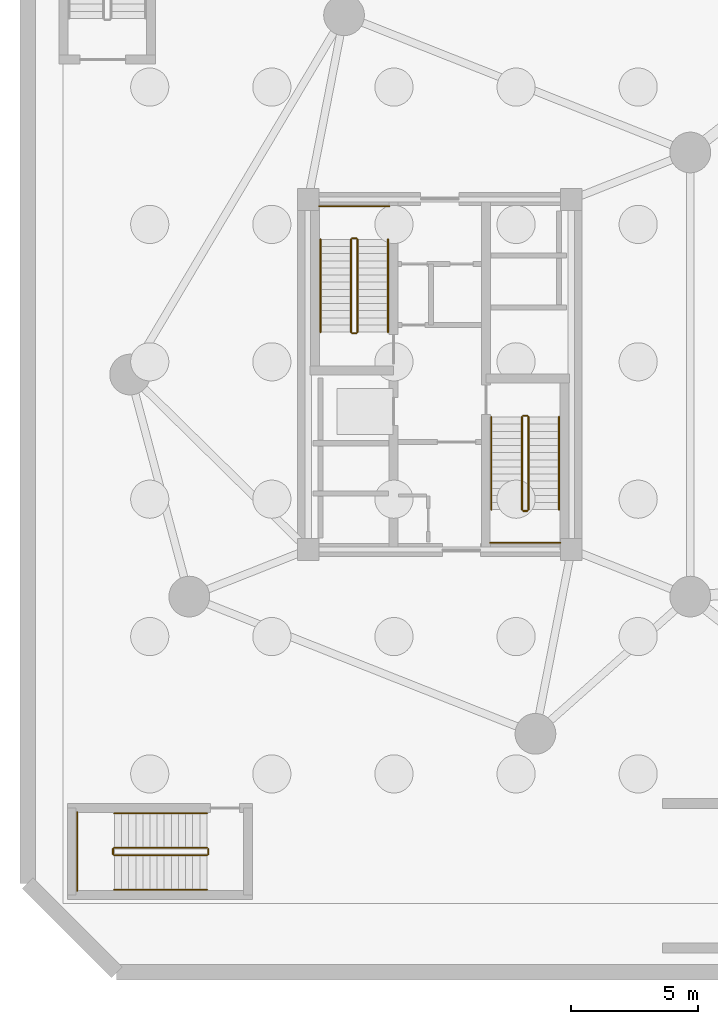
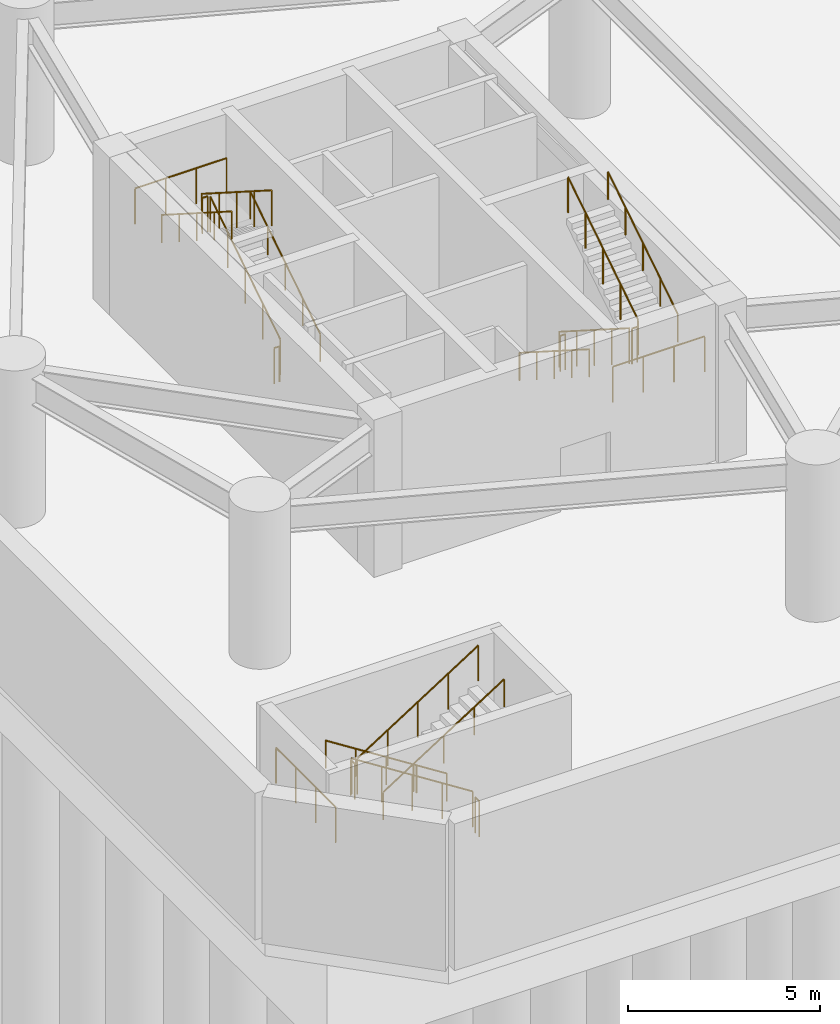
# One storey, part 11 of 15: 21 railings.
"""IFC4 building model written with IfcOpenShell, lengths in metres."""

from ifc_helpers import new_model, si_unit, direction, frame, origin, origin_2d, place, context, subcontext, project, spatial, circle, extrude, material, type_object, element, save


model = new_model("IFC4")

# Units and contexts
model_context = context("Model", 3, precision=1e-05, world=origin(), true_north=direction((0.0, 1.0)))
body_context = subcontext(model_context, "Body", "Model", "MODEL_VIEW")
ifc_project = project(units=[si_unit("LENGTHUNIT", "METRE"), si_unit("AREAUNIT", "SQUARE_METRE"), si_unit("VOLUMEUNIT", "CUBIC_METRE"), si_unit("PLANEANGLEUNIT", "RADIAN"), si_unit("MASSUNIT", "GRAM", prefix="KILO")], contexts=[model_context])

# Site, building, storey
site_placement = place(None, origin())
site = spatial("IfcSite", under=ifc_project, at=site_placement, CompositionType="ELEMENT")
building_placement = place(site_placement, origin())
building = spatial("IfcBuilding", under=site, at=building_placement, Name="Cununo Teusaquillo Station Towers", CompositionType="ELEMENT")
storey_placement = place(building_placement, frame((0.0, 0.0, -10.0)))
storey = spatial("IfcBuildingStorey", under=building, at=storey_placement, Name="B02", CompositionType="ELEMENT", Elevation=-10.0)

# Railings
ifc_material_1 = material(Name="Steel EN 10025-2 S355J2", Category="steel")
railing_type_1 = type_object("IfcRailingType", Name="RL-INT-GUARD", PredefinedType="GUARDRAIL", material=ifc_material_1)
railing_1_placement = place(storey_placement, frame((13.27001953125, 26.169921875, 0.178466796875)))
element("IfcRailing", 1, at=railing_1_placement, inside=storey, type_object=railing_type_1, Name="B02 ST-T1-1 stair guard 1", PredefinedType="GUARDRAIL", context=body_context, shape_type="SweptSolid", body=[
    extrude(circle(Radius=0.02392578125, at=origin_2d()), frame((0.0, 0.0, 1.1259765625), z_axis=(0.0, 0.843127859045, 0.537713132908), x_axis=(-1.0, 0.0, 0.0)), (0.0, 0.0, 1.0), 4.3173828125),
    extrude(circle(Radius=0.02099609375, at=origin_2d()), origin(), (0.0, 0.0, 1.0), 1.101806640625),
    extrude(circle(Radius=0.02099609375, at=origin_2d()), frame((0.0, 0.91015625, 0.580322265625)), (0.0, 0.0, 1.0), 1.101806640625),
    extrude(circle(Radius=0.02099609375, at=origin_2d()), frame((0.0, 1.820068359375, 1.16064453125)), (0.0, 0.0, 1.0), 1.101806640625),
    extrude(circle(Radius=0.02099609375, at=origin_2d()), frame((0.0, 2.72998046875, 1.7412109375)), (0.0, 0.0, 1.0), 1.101806640625),
    extrude(circle(Radius=0.02099609375, at=origin_2d()), frame((0.0, 3.64013671875, 2.321533203125)), (0.0, 0.0, 1.0), 1.101806640625),
])
railing_2_placement = place(storey_placement, frame((13.219970703125, 29.860107421875, 2.5)))
element("IfcRailing", 2, at=railing_2_placement, inside=storey, type_object=railing_type_1, Name="B02 ST-T1-1 stair guard 2", PredefinedType="GUARDRAIL", context=body_context, shape_type="SweptSolid", body=[
    extrude(circle(Radius=0.02392578125, at=origin_2d()), frame((0.0, 0.0, 1.1259765625), z_axis=(-1.0, 0.0, 0.0), x_axis=(0.0, -1.0, 0.0)), (0.0, 0.0, 1.0), 0.159912109375),
    extrude(circle(Radius=0.02099609375, at=origin_2d()), origin(), (0.0, 0.0, 1.0), 1.101806640625),
    extrude(circle(Radius=0.02099609375, at=origin_2d()), frame((-0.159912109375, 0.0, 0.0)), (0.0, 0.0, 1.0), 1.101806640625),
])
railing_3_placement = place(storey_placement, frame((14.52001953125, 31.110107421875, 2.5)))
element("IfcRailing", 3, at=railing_3_placement, inside=storey, type_object=railing_type_1, Name="B02 ST-T1-1 stair guard 3", PredefinedType="GUARDRAIL", context=body_context, shape_type="SweptSolid", body=[
    extrude(circle(Radius=0.02392578125, at=origin_2d()), frame((0.0, 0.0, 1.1259765625), z_axis=(-1.0, 0.0, 0.0), x_axis=(0.0, -1.0, 0.0)), (0.0, 0.0, 1.0), 2.760009765625),
    extrude(circle(Radius=0.02099609375, at=origin_2d()), origin(), (0.0, 0.0, 1.0), 1.101806640625),
    extrude(circle(Radius=0.02099609375, at=origin_2d()), frame((-0.919921875, 0.0, 0.0)), (0.0, 0.0, 1.0), 1.101806640625),
    extrude(circle(Radius=0.02099609375, at=origin_2d()), frame((-1.840087890625, 0.0, 0.0)), (0.0, 0.0, 1.0), 1.101806640625),
    extrude(circle(Radius=0.02099609375, at=origin_2d()), frame((-2.760009765625, 0.0, 0.0)), (0.0, 0.0, 1.0), 1.101806640625),
])
railing_4_placement = place(storey_placement, frame((13.010009765625, 29.81005859375, 2.678466796875)))
element("IfcRailing", 4, at=railing_4_placement, inside=storey, type_object=railing_type_1, Name="B02 ST-T1-1 stair guard 4", PredefinedType="GUARDRAIL", context=body_context, shape_type="SweptSolid", body=[
    extrude(circle(Radius=0.02392578125, at=origin_2d()), frame((0.0, 0.0, 1.1259765625), z_axis=(0.0, -0.843127859045, 0.537713132908), x_axis=(1.0, 0.0, 0.0)), (0.0, 0.0, 1.0), 4.3173828125),
    extrude(circle(Radius=0.02099609375, at=origin_2d()), origin(), (0.0, 0.0, 1.0), 1.101806640625),
    extrude(circle(Radius=0.02099609375, at=origin_2d()), frame((0.0, -0.91015625, 0.580322265625)), (0.0, 0.0, 1.0), 1.101806640625),
    extrude(circle(Radius=0.02099609375, at=origin_2d()), frame((0.0, -1.820068359375, 1.16064453125)), (0.0, 0.0, 1.0), 1.101806640625),
    extrude(circle(Radius=0.02099609375, at=origin_2d()), frame((0.0, -2.72998046875, 1.7412109375)), (0.0, 0.0, 1.0), 1.101806640625),
    extrude(circle(Radius=0.02099609375, at=origin_2d()), frame((0.0, -3.64013671875, 2.321533203125)), (0.0, 0.0, 1.0), 1.101806640625),
])
railing_5_placement = place(storey_placement, frame((13.219970703125, 26.1201171875, 0.0)))
element("IfcRailing", 5, at=railing_5_placement, inside=storey, type_object=railing_type_1, Name="B02 ST-T1-1 stair guard 5", PredefinedType="GUARDRAIL", context=body_context, shape_type="SweptSolid", body=[
    extrude(circle(Radius=0.02392578125, at=origin_2d()), frame((0.0, 0.0, 1.1259765625), z_axis=(-1.0, 0.0, 0.0), x_axis=(0.0, -1.0, 0.0)), (0.0, 0.0, 1.0), 0.159912109375),
    extrude(circle(Radius=0.02099609375, at=origin_2d()), origin(), (0.0, 0.0, 1.0), 1.101806640625),
    extrude(circle(Radius=0.02099609375, at=origin_2d()), frame((-0.159912109375, 0.0, 0.0)), (0.0, 0.0, 1.0), 1.101806640625),
])
railing_6_placement = place(storey_placement, frame((19.72998046875, 22.830078125, 0.178466796875)))
element("IfcRailing", 6, at=railing_6_placement, inside=storey, type_object=railing_type_1, Name="B02 ST-T1-2 stair guard 1", PredefinedType="GUARDRAIL", context=body_context, shape_type="SweptSolid", body=[
    extrude(circle(Radius=0.02392578125, at=origin_2d()), frame((0.0, 0.0, 1.1259765625), z_axis=(0.0, -0.843127859045, 0.537713132908), x_axis=(1.0, 0.0, 0.0)), (0.0, 0.0, 1.0), 4.3173828125),
    extrude(circle(Radius=0.02099609375, at=origin_2d()), origin(), (0.0, 0.0, 1.0), 1.101806640625),
    extrude(circle(Radius=0.02099609375, at=origin_2d()), frame((0.0, -0.91015625, 0.580322265625)), (0.0, 0.0, 1.0), 1.101806640625),
    extrude(circle(Radius=0.02099609375, at=origin_2d()), frame((0.0, -1.820068359375, 1.16064453125)), (0.0, 0.0, 1.0), 1.101806640625),
    extrude(circle(Radius=0.02099609375, at=origin_2d()), frame((0.0, -2.72998046875, 1.7412109375)), (0.0, 0.0, 1.0), 1.101806640625),
    extrude(circle(Radius=0.02099609375, at=origin_2d()), frame((0.0, -3.64013671875, 2.321533203125)), (0.0, 0.0, 1.0), 1.101806640625),
])
railing_7_placement = place(storey_placement, frame((19.780029296875, 19.139892578125, 2.5)))
element("IfcRailing", 7, at=railing_7_placement, inside=storey, type_object=railing_type_1, Name="B02 ST-T1-2 stair guard 2", PredefinedType="GUARDRAIL", context=body_context, shape_type="SweptSolid", body=[
    extrude(circle(Radius=0.02392578125, at=origin_2d()), frame((0.0, 0.0, 1.1259765625), z_axis=(1.0, 0.0, 0.0), x_axis=(0.0, 1.0, 0.0)), (0.0, 0.0, 1.0), 0.159912109375),
    extrude(circle(Radius=0.02099609375, at=origin_2d()), origin(), (0.0, 0.0, 1.0), 1.101806640625),
    extrude(circle(Radius=0.02099609375, at=origin_2d()), frame((0.159912109375, 0.0, 0.0)), (0.0, 0.0, 1.0), 1.101806640625),
])
railing_8_placement = place(storey_placement, frame((18.47998046875, 17.889892578125, 2.5)))
element("IfcRailing", 8, at=railing_8_placement, inside=storey, type_object=railing_type_1, Name="B02 ST-T1-2 stair guard 3", PredefinedType="GUARDRAIL", context=body_context, shape_type="SweptSolid", body=[
    extrude(circle(Radius=0.02392578125, at=origin_2d()), frame((0.0, 0.0, 1.1259765625), z_axis=(1.0, 0.0, 0.0), x_axis=(0.0, 1.0, 0.0)), (0.0, 0.0, 1.0), 2.760009765625),
    extrude(circle(Radius=0.02099609375, at=origin_2d()), origin(), (0.0, 0.0, 1.0), 1.101806640625),
    extrude(circle(Radius=0.02099609375, at=origin_2d()), frame((0.919921875, 0.0, 0.0)), (0.0, 0.0, 1.0), 1.101806640625),
    extrude(circle(Radius=0.02099609375, at=origin_2d()), frame((1.840087890625, 0.0, 0.0)), (0.0, 0.0, 1.0), 1.101806640625),
    extrude(circle(Radius=0.02099609375, at=origin_2d()), frame((2.760009765625, 0.0, 0.0)), (0.0, 0.0, 1.0), 1.101806640625),
])
railing_9_placement = place(storey_placement, frame((19.989990234375, 19.18994140625, 2.678466796875)))
element("IfcRailing", 9, at=railing_9_placement, inside=storey, type_object=railing_type_1, Name="B02 ST-T1-2 stair guard 4", PredefinedType="GUARDRAIL", context=body_context, shape_type="SweptSolid", body=[
    extrude(circle(Radius=0.02392578125, at=origin_2d()), frame((0.0, 0.0, 1.1259765625), z_axis=(0.0, 0.843127859045, 0.537713132908), x_axis=(-1.0, 0.0, 0.0)), (0.0, 0.0, 1.0), 4.3173828125),
    extrude(circle(Radius=0.02099609375, at=origin_2d()), origin(), (0.0, 0.0, 1.0), 1.101806640625),
    extrude(circle(Radius=0.02099609375, at=origin_2d()), frame((0.0, 0.91015625, 0.580322265625)), (0.0, 0.0, 1.0), 1.101806640625),
    extrude(circle(Radius=0.02099609375, at=origin_2d()), frame((0.0, 1.820068359375, 1.16064453125)), (0.0, 0.0, 1.0), 1.101806640625),
    extrude(circle(Radius=0.02099609375, at=origin_2d()), frame((0.0, 2.72998046875, 1.7412109375)), (0.0, 0.0, 1.0), 1.101806640625),
    extrude(circle(Radius=0.02099609375, at=origin_2d()), frame((0.0, 3.64013671875, 2.321533203125)), (0.0, 0.0, 1.0), 1.101806640625),
])
railing_10_placement = place(storey_placement, frame((19.780029296875, 22.8798828125, 0.0)))
element("IfcRailing", 10, at=railing_10_placement, inside=storey, type_object=railing_type_1, Name="B02 ST-T1-2 stair guard 5", PredefinedType="GUARDRAIL", context=body_context, shape_type="SweptSolid", body=[
    extrude(circle(Radius=0.02392578125, at=origin_2d()), frame((0.0, 0.0, 1.1259765625), z_axis=(1.0, 0.0, 0.0), x_axis=(0.0, 1.0, 0.0)), (0.0, 0.0, 1.0), 0.159912109375),
    extrude(circle(Radius=0.02099609375, at=origin_2d()), origin(), (0.0, 0.0, 1.0), 1.101806640625),
    extrude(circle(Radius=0.02099609375, at=origin_2d()), frame((0.159912109375, 0.0, 0.0)), (0.0, 0.0, 1.0), 1.101806640625),
])
railing_11_placement = place(storey_placement, frame((7.35009765625, 5.89990234375, 0.178466796875)))
element("IfcRailing", 11, at=railing_11_placement, inside=storey, type_object=railing_type_1, Name="B02 ST-POD-S stair guard 1", PredefinedType="GUARDRAIL", context=body_context, shape_type="SweptSolid", body=[
    extrude(circle(Radius=0.02392578125, at=origin_2d()), frame((0.0, 0.0, 1.1259765625), z_axis=(-0.843127859045, 0.0, 0.537713132908), x_axis=(0.0, -1.0, 0.0)), (0.0, 0.0, 1.0), 4.3173828125),
    extrude(circle(Radius=0.02099609375, at=origin_2d()), origin(), (0.0, 0.0, 1.0), 1.101806640625),
    extrude(circle(Radius=0.02099609375, at=origin_2d()), frame((-0.91015625, 0.0, 0.580322265625)), (0.0, 0.0, 1.0), 1.101806640625),
    extrude(circle(Radius=0.02099609375, at=origin_2d()), frame((-1.820068359375, 0.0, 1.16064453125)), (0.0, 0.0, 1.0), 1.101806640625),
    extrude(circle(Radius=0.02099609375, at=origin_2d()), frame((-2.72998046875, 0.0, 1.7412109375)), (0.0, 0.0, 1.0), 1.101806640625),
    extrude(circle(Radius=0.02099609375, at=origin_2d()), frame((-3.64013671875, 0.0, 2.321533203125)), (0.0, 0.0, 1.0), 1.101806640625),
])
railing_12_placement = place(storey_placement, frame((3.659912109375, 5.85009765625, 2.5)))
element("IfcRailing", 12, at=railing_12_placement, inside=storey, type_object=railing_type_1, Name="B02 ST-POD-S stair guard 2", PredefinedType="GUARDRAIL", context=body_context, shape_type="SweptSolid", body=[
    extrude(circle(Radius=0.02392578125, at=origin_2d()), frame((0.0, 0.0, 1.1259765625), z_axis=(0.0, -1.0, 0.0), x_axis=(1.0, 0.0, 0.0)), (0.0, 0.0, 1.0), 0.2001953125),
    extrude(circle(Radius=0.02099609375, at=origin_2d()), origin(), (0.0, 0.0, 1.0), 1.101806640625),
    extrude(circle(Radius=0.02099609375, at=origin_2d()), frame((0.0, -0.2001953125, 0.0)), (0.0, 0.0, 1.0), 1.101806640625),
])
railing_13_placement = place(storey_placement, frame((2.25, 7.300048828125, 2.5)))
element("IfcRailing", 13, at=railing_13_placement, inside=storey, type_object=railing_type_1, Name="B02 ST-POD-S stair guard 3", PredefinedType="GUARDRAIL", context=body_context, shape_type="SweptSolid", body=[
    extrude(circle(Radius=0.02392578125, at=origin_2d()), frame((0.0, 0.0, 1.1259765625), z_axis=(0.0, -1.0, 0.0), x_axis=(1.0, 0.0, 0.0)), (0.0, 0.0, 1.0), 3.10009765625),
    extrude(circle(Radius=0.02099609375, at=origin_2d()), origin(), (0.0, 0.0, 1.0), 1.101806640625),
    extrude(circle(Radius=0.02099609375, at=origin_2d()), frame((0.0, -1.033447265625, 0.0)), (0.0, 0.0, 1.0), 1.101806640625),
    extrude(circle(Radius=0.02099609375, at=origin_2d()), frame((0.0, -2.066650390625, 0.0)), (0.0, 0.0, 1.0), 1.101806640625),
    extrude(circle(Radius=0.02099609375, at=origin_2d()), frame((0.0, -3.10009765625, 0.0)), (0.0, 0.0, 1.0), 1.101806640625),
])
railing_14_placement = place(storey_placement, frame((3.7099609375, 5.60009765625, 2.678466796875)))
element("IfcRailing", 14, at=railing_14_placement, inside=storey, type_object=railing_type_1, Name="B02 ST-POD-S stair guard 4", PredefinedType="GUARDRAIL", context=body_context, shape_type="SweptSolid", body=[
    extrude(circle(Radius=0.02392578125, at=origin_2d()), frame((0.0, 0.0, 1.1259765625), z_axis=(0.843127859045, 0.0, 0.537713132908), x_axis=(0.0, 1.0, 0.0)), (0.0, 0.0, 1.0), 4.3173828125),
    extrude(circle(Radius=0.02099609375, at=origin_2d()), origin(), (0.0, 0.0, 1.0), 1.101806640625),
    extrude(circle(Radius=0.02099609375, at=origin_2d()), frame((0.91015625, 0.0, 0.580322265625)), (0.0, 0.0, 1.0), 1.101806640625),
    extrude(circle(Radius=0.02099609375, at=origin_2d()), frame((1.820068359375, 0.0, 1.16064453125)), (0.0, 0.0, 1.0), 1.101806640625),
    extrude(circle(Radius=0.02099609375, at=origin_2d()), frame((2.72998046875, 0.0, 1.7412109375)), (0.0, 0.0, 1.0), 1.101806640625),
    extrude(circle(Radius=0.02099609375, at=origin_2d()), frame((3.64013671875, 0.0, 2.321533203125)), (0.0, 0.0, 1.0), 1.101806640625),
])
railing_15_placement = place(storey_placement, frame((7.39990234375, 5.85009765625, 0.0)))
element("IfcRailing", 15, at=railing_15_placement, inside=storey, type_object=railing_type_1, Name="B02 ST-POD-S stair guard 5", PredefinedType="GUARDRAIL", context=body_context, shape_type="SweptSolid", body=[
    extrude(circle(Radius=0.02392578125, at=origin_2d()), frame((0.0, 0.0, 1.1259765625), z_axis=(0.0, -1.0, 0.0), x_axis=(1.0, 0.0, 0.0)), (0.0, 0.0, 1.0), 0.2001953125),
    extrude(circle(Radius=0.02099609375, at=origin_2d()), origin(), (0.0, 0.0, 1.0), 1.101806640625),
    extrude(circle(Radius=0.02099609375, at=origin_2d()), frame((0.0, -0.2001953125, 0.0)), (0.0, 0.0, 1.0), 1.101806640625),
])
ifc_material_2 = material(Name="Steel EN 10025-2 S355J2", Category="steel")
railing_type_2 = type_object("IfcRailingType", Name="RL-INT-HRAIL", PredefinedType="HANDRAIL", material=ifc_material_2)
railing_16_placement = place(storey_placement, frame((14.469970703125, 26.169921875, 0.178466796875)))
element("IfcRailing", 16, at=railing_16_placement, inside=storey, type_object=railing_type_2, Name="B02 ST-T1-1 stair handrail 1", PredefinedType="HANDRAIL", context=body_context, shape_type="SweptSolid", body=[
    extrude(circle(Radius=0.02392578125, at=origin_2d()), frame((0.0, 0.0, 0.8759765625), z_axis=(0.0, 0.843127859045, 0.537713132908), x_axis=(-1.0, 0.0, 0.0)), (0.0, 0.0, 1.0), 4.3173828125),
    extrude(circle(Radius=0.02099609375, at=origin_2d()), origin(), (0.0, 0.0, 1.0), 0.851806640625),
    extrude(circle(Radius=0.02099609375, at=origin_2d()), frame((0.0, 0.91015625, 0.580322265625)), (0.0, 0.0, 1.0), 0.851806640625),
    extrude(circle(Radius=0.02099609375, at=origin_2d()), frame((0.0, 1.820068359375, 1.16064453125)), (0.0, 0.0, 1.0), 0.851806640625),
    extrude(circle(Radius=0.02099609375, at=origin_2d()), frame((0.0, 2.72998046875, 1.7412109375)), (0.0, 0.0, 1.0), 0.851806640625),
    extrude(circle(Radius=0.02099609375, at=origin_2d()), frame((0.0, 3.64013671875, 2.321533203125)), (0.0, 0.0, 1.0), 0.851806640625),
])
for number, where, name in (
    (17, (11.81005859375, 29.81005859375, 2.678466796875), "B02 ST-T1-1 stair handrail 2"),
    (18, (18.530029296875, 22.830078125, 0.178466796875), "B02 ST-T1-2 stair handrail 1"),
):
    element("IfcRailing", number, at=place(storey_placement, frame(where)), inside=storey, type_object=railing_type_2, Name=name, PredefinedType="HANDRAIL", context=body_context, shape_type="SweptSolid", body=[
        extrude(circle(Radius=0.02392578125, at=origin_2d()), frame((0.0, 0.0, 0.8759765625), z_axis=(0.0, -0.843127859045, 0.537713132908), x_axis=(1.0, 0.0, 0.0)), (0.0, 0.0, 1.0), 4.3173828125),
        extrude(circle(Radius=0.02099609375, at=origin_2d()), origin(), (0.0, 0.0, 1.0), 0.851806640625),
        extrude(circle(Radius=0.02099609375, at=origin_2d()), frame((0.0, -0.91015625, 0.580322265625)), (0.0, 0.0, 1.0), 0.851806640625),
        extrude(circle(Radius=0.02099609375, at=origin_2d()), frame((0.0, -1.820068359375, 1.16064453125)), (0.0, 0.0, 1.0), 0.851806640625),
        extrude(circle(Radius=0.02099609375, at=origin_2d()), frame((0.0, -2.72998046875, 1.7412109375)), (0.0, 0.0, 1.0), 0.851806640625),
        extrude(circle(Radius=0.02099609375, at=origin_2d()), frame((0.0, -3.64013671875, 2.321533203125)), (0.0, 0.0, 1.0), 0.851806640625),
    ])
railing_17_placement = place(storey_placement, frame((21.18994140625, 19.18994140625, 2.678466796875)))
element("IfcRailing", 19, at=railing_17_placement, inside=storey, type_object=railing_type_2, Name="B02 ST-T1-2 stair handrail 2", PredefinedType="HANDRAIL", context=body_context, shape_type="SweptSolid", body=[
    extrude(circle(Radius=0.02392578125, at=origin_2d()), frame((0.0, 0.0, 0.8759765625), z_axis=(0.0, 0.843127859045, 0.537713132908), x_axis=(-1.0, 0.0, 0.0)), (0.0, 0.0, 1.0), 4.3173828125),
    extrude(circle(Radius=0.02099609375, at=origin_2d()), origin(), (0.0, 0.0, 1.0), 0.851806640625),
    extrude(circle(Radius=0.02099609375, at=origin_2d()), frame((0.0, 0.91015625, 0.580322265625)), (0.0, 0.0, 1.0), 0.851806640625),
    extrude(circle(Radius=0.02099609375, at=origin_2d()), frame((0.0, 1.820068359375, 1.16064453125)), (0.0, 0.0, 1.0), 0.851806640625),
    extrude(circle(Radius=0.02099609375, at=origin_2d()), frame((0.0, 2.72998046875, 1.7412109375)), (0.0, 0.0, 1.0), 0.851806640625),
    extrude(circle(Radius=0.02099609375, at=origin_2d()), frame((0.0, 3.64013671875, 2.321533203125)), (0.0, 0.0, 1.0), 0.851806640625),
])
railing_18_placement = place(storey_placement, frame((7.35009765625, 7.25, 0.178466796875)))
element("IfcRailing", 20, at=railing_18_placement, inside=storey, type_object=railing_type_2, Name="B02 ST-POD-S stair handrail 1", PredefinedType="HANDRAIL", context=body_context, shape_type="SweptSolid", body=[
    extrude(circle(Radius=0.02392578125, at=origin_2d()), frame((0.0, 0.0, 0.8759765625), z_axis=(-0.843127859045, 0.0, 0.537713132908), x_axis=(0.0, -1.0, 0.0)), (0.0, 0.0, 1.0), 4.3173828125),
    extrude(circle(Radius=0.02099609375, at=origin_2d()), origin(), (0.0, 0.0, 1.0), 0.851806640625),
    extrude(circle(Radius=0.02099609375, at=origin_2d()), frame((-0.91015625, 0.0, 0.580322265625)), (0.0, 0.0, 1.0), 0.851806640625),
    extrude(circle(Radius=0.02099609375, at=origin_2d()), frame((-1.820068359375, 0.0, 1.16064453125)), (0.0, 0.0, 1.0), 0.851806640625),
    extrude(circle(Radius=0.02099609375, at=origin_2d()), frame((-2.72998046875, 0.0, 1.7412109375)), (0.0, 0.0, 1.0), 0.851806640625),
    extrude(circle(Radius=0.02099609375, at=origin_2d()), frame((-3.64013671875, 0.0, 2.321533203125)), (0.0, 0.0, 1.0), 0.851806640625),
])
railing_19_placement = place(storey_placement, frame((3.7099609375, 4.25, 2.678466796875)))
element("IfcRailing", 21, at=railing_19_placement, inside=storey, type_object=railing_type_2, Name="B02 ST-POD-S stair handrail 2", PredefinedType="HANDRAIL", context=body_context, shape_type="SweptSolid", body=[
    extrude(circle(Radius=0.02392578125, at=origin_2d()), frame((0.0, 0.0, 0.8759765625), z_axis=(0.843127859045, 0.0, 0.537713132908), x_axis=(0.0, 1.0, 0.0)), (0.0, 0.0, 1.0), 4.3173828125),
    extrude(circle(Radius=0.02099609375, at=origin_2d()), origin(), (0.0, 0.0, 1.0), 0.851806640625),
    extrude(circle(Radius=0.02099609375, at=origin_2d()), frame((0.91015625, 0.0, 0.580322265625)), (0.0, 0.0, 1.0), 0.851806640625),
    extrude(circle(Radius=0.02099609375, at=origin_2d()), frame((1.820068359375, 0.0, 1.16064453125)), (0.0, 0.0, 1.0), 0.851806640625),
    extrude(circle(Radius=0.02099609375, at=origin_2d()), frame((2.72998046875, 0.0, 1.7412109375)), (0.0, 0.0, 1.0), 0.851806640625),
    extrude(circle(Radius=0.02099609375, at=origin_2d()), frame((3.64013671875, 0.0, 2.321533203125)), (0.0, 0.0, 1.0), 0.851806640625),
])

save(model, "model.ifc")
